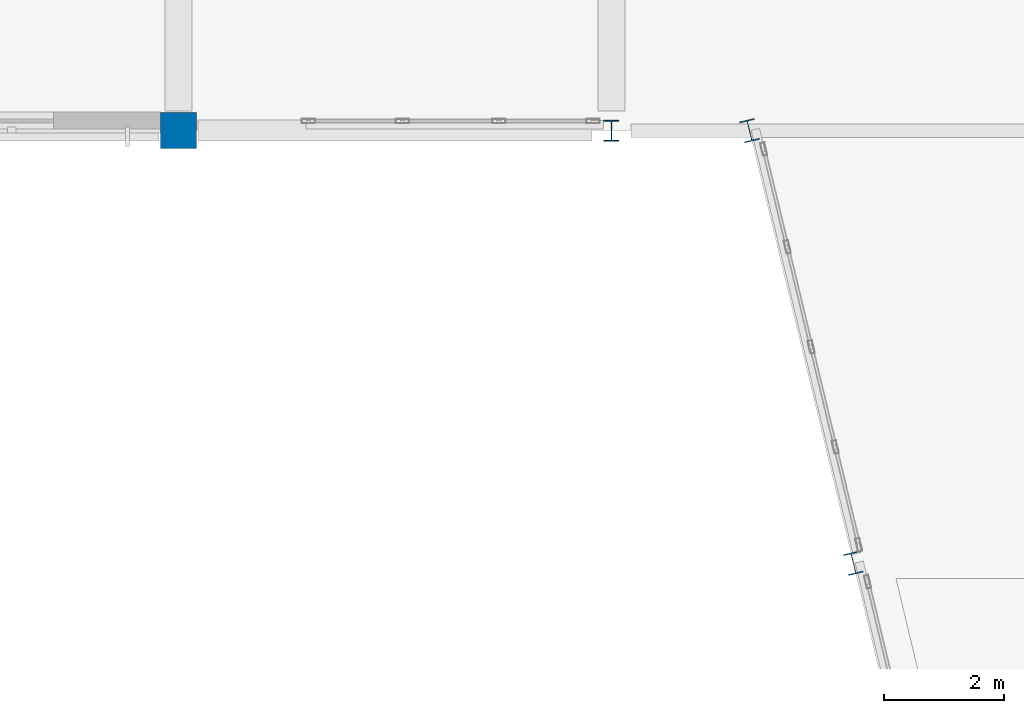
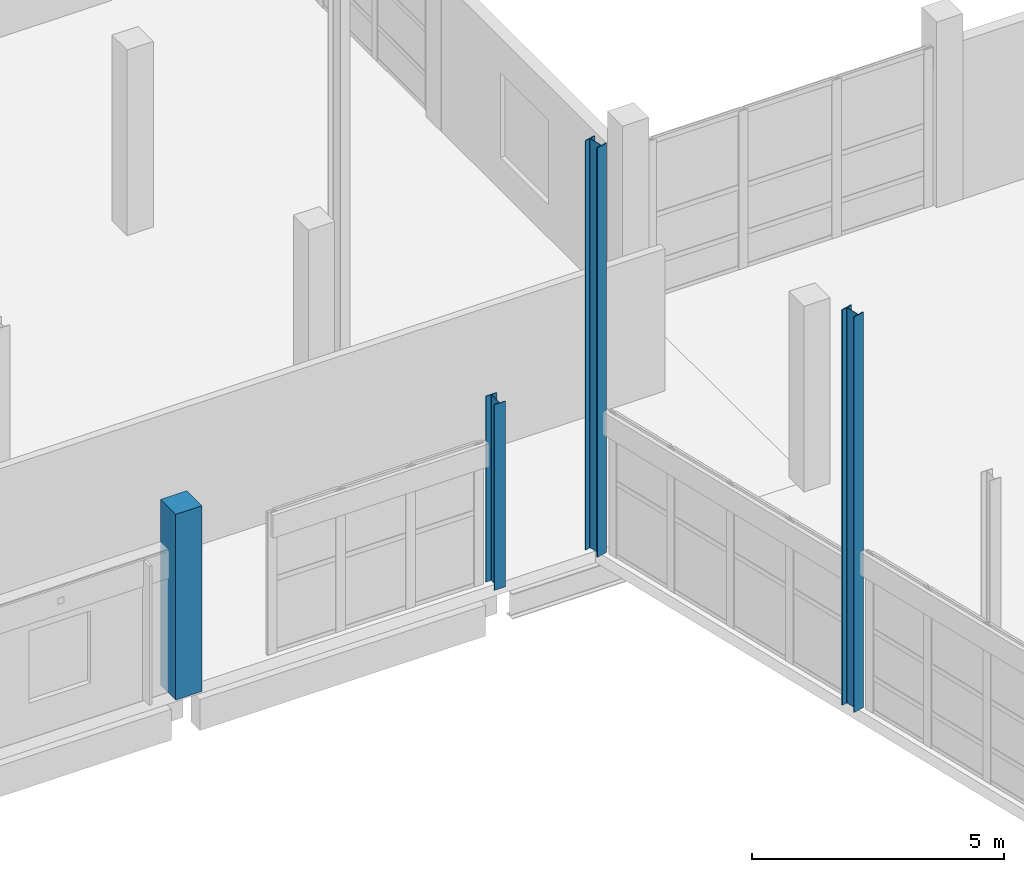
# One storey, part 15 of 123: 4 columns.
"""IFC4 building model written with IfcOpenShell, lengths in metres."""

from ifc_helpers import new_model, si_unit, direction, frame, origin, origin_2d, place, context, subcontext, project, spatial, rectangle, i_section, extrude, material, material_profile, profile_set, type_object, element, save


model = new_model("IFC4")

# Units and contexts
model_context = context("Model", 3, precision=1e-05, world=origin(), true_north=direction((0.0, 1.0)))
body_context = subcontext(model_context, "Body", "Model", "MODEL_VIEW")
ifc_project = project(units=[si_unit("LENGTHUNIT", "METRE"), si_unit("AREAUNIT", "SQUARE_METRE"), si_unit("VOLUMEUNIT", "CUBIC_METRE"), si_unit("PLANEANGLEUNIT", "RADIAN"), si_unit("MASSUNIT", "GRAM", prefix="KILO")], contexts=[model_context])

# Site, building, storey
site_placement = place(None, origin())
site = spatial("IfcSite", under=ifc_project, at=site_placement, CompositionType="ELEMENT")
building_placement = place(site_placement, origin())
building = spatial("IfcBuilding", under=site, at=building_placement, Name="Kalmorath City Hall", CompositionType="ELEMENT")
storey_placement = place(building_placement, frame((0.0, 0.0, 10.199951171875)))
storey = spatial("IfcBuildingStorey", under=building, at=storey_placement, Name="L02", CompositionType="ELEMENT", Elevation=10.199951171875)

# Columns
ifc_material_1 = material(Name="Concrete C50/60", Category="concrete")
ifc_material_profile_1 = material_profile(ifc_material_1, rectangle(XDim=0.60009765625, YDim=0.60009765625, at=origin_2d()), Name="RC-COL-600X600")
ifc_profile_set_1 = profile_set([ifc_material_profile_1], Name="Concrete C50/60")
column_type_1 = type_object("IfcColumnType", Name="Concrete column 600x600", PredefinedType="COLUMN", material=ifc_profile_set_1)
column_1_placement = place(storey_placement, frame((115.199951171875, 93.60009765625, 0.0), z_axis=(0.0, 0.0, 1.0), x_axis=(1.0, 0.0, 0.0)))
element("IfcColumn", 1, at=column_1_placement, inside=storey, type_object=column_type_1, Name="L02 column C6 (17/14)", PredefinedType="COLUMN", context=body_context, shape_type="SweptSolid", body=[
    extrude(rectangle(XDim=0.60009765625, YDim=0.60009765625, at=origin_2d()), origin(), (0.0, 0.0, 1.0), 4.5),
])
ifc_material_2 = material(Name="Steel ASTM A992 Grade 50", Category="steel")
ifc_material_profile_2 = material_profile(ifc_material_2, i_section(OverallWidth=0.25390625, OverallDepth=0.35302734375, WebThickness=0.009521484375, FlangeThickness=0.016357421875, FilletRadius=0.014892578125, at=origin_2d()), Name="W14X61")
ifc_profile_set_2 = profile_set([ifc_material_profile_2], Name="Steel ASTM A992 Grade 50")
column_type_2 = type_object("IfcColumnType", Name="Steel wide-flange column W14X61", PredefinedType="COLUMN", material=ifc_profile_set_2)
column_2_placement = place(storey_placement, frame((122.39990234375, 93.60009765625, 0.0), z_axis=(0.0, 0.0, 1.0), x_axis=(1.0, 0.0, 0.0)))
element("IfcColumn", 2, at=column_2_placement, inside=storey, type_object=column_type_2, Name="L02 column SC1 (18/14)", PredefinedType="COLUMN", context=body_context, shape_type="SweptSolid", body=[
    extrude(i_section(OverallWidth=0.25390625, OverallDepth=0.35302734375, WebThickness=0.009521484375, FlangeThickness=0.016357421875, FilletRadius=0.014892578125, at=origin_2d()), origin(), (0.0, 0.0, 1.0), 4.5),
])
ifc_material_3 = material(Name="Steel ASTM A992 Grade 50", Category="steel")
ifc_material_profile_3 = material_profile(ifc_material_3, i_section(OverallWidth=0.256103515625, OverallDepth=0.360107421875, WebThickness=0.011474609375, FlangeThickness=0.02001953125, FilletRadius=0.014892578125, at=origin_2d()), Name="W14X74")
ifc_profile_set_3 = profile_set([ifc_material_profile_3], Name="Steel ASTM A992 Grade 50")
column_type_3 = type_object("IfcColumnType", Name="Steel wide-flange column W14X74", PredefinedType="COLUMN", material=ifc_profile_set_3)
column_3_placement = place(storey_placement, frame((126.4287109375, 86.39990234375, 0.0), z_axis=(0.0, 0.0, 1.0), x_axis=(0.972369920398, 0.233445363856, 0.0)))
element("IfcColumn", 3, at=column_3_placement, inside=storey, type_object=column_type_3, Name="L02 library splay column SC4-7", PredefinedType="COLUMN", context=body_context, shape_type="SweptSolid", body=[
    extrude(i_section(OverallWidth=0.256103515625, OverallDepth=0.360107421875, WebThickness=0.011474609375, FlangeThickness=0.02001953125, FilletRadius=0.014892578125, at=origin_2d()), origin(), (0.0, 0.0, 1.0), 9.58056640625),
])
column_4_placement = place(storey_placement, frame((124.699951171875, 93.60009765625, 0.0), z_axis=(0.0, 0.0, 1.0), x_axis=(0.972369920398, 0.233445363856, 0.0)))
element("IfcColumn", 4, at=column_4_placement, inside=storey, type_object=column_type_3, Name="L02 library splay column SC4-8", PredefinedType="COLUMN", context=body_context, shape_type="SweptSolid", body=[
    extrude(i_section(OverallWidth=0.256103515625, OverallDepth=0.360107421875, WebThickness=0.011474609375, FlangeThickness=0.02001953125, FilletRadius=0.014892578125, at=origin_2d()), origin(), (0.0, 0.0, 1.0), 9.91748046875),
])

save(model, "model.ifc")
